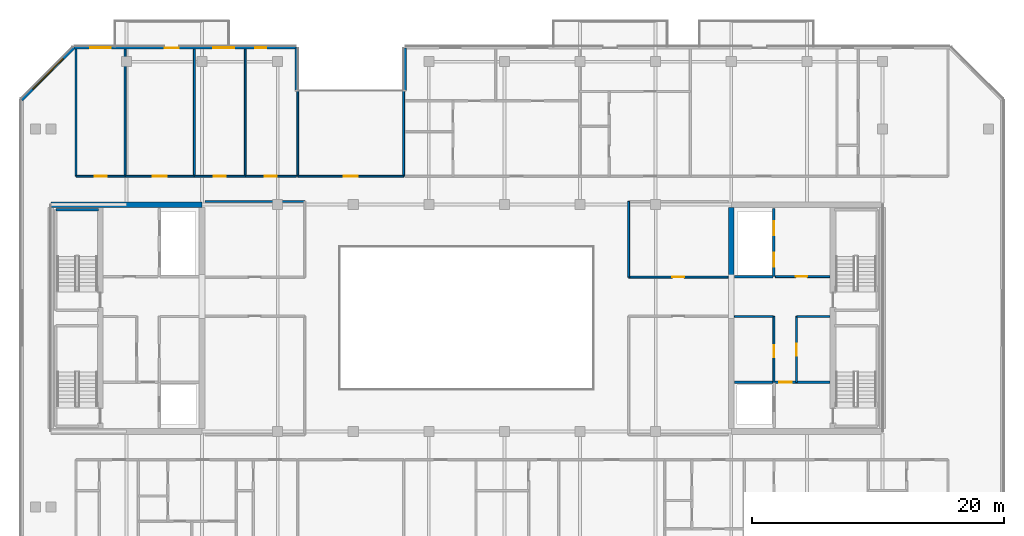
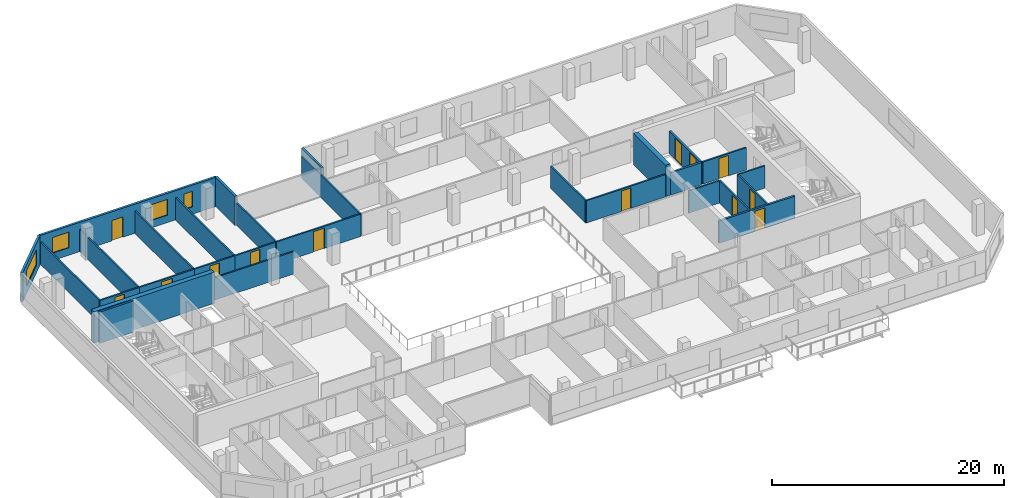
# One storey, part 9 of 16: 29 walls, 13 doors, 4 windows, 17 openings.
"""IFC4 building model written with IfcOpenShell, lengths in metres."""

from ifc_helpers import new_model, si_unit, direction, frame, frame_2d, origin, place, context, subcontext, project, spatial, rectangle, extrude, material, layer, layer_set, type_object, element, fill, save


model = new_model("IFC4")

# Units and contexts
model_context = context("Model", 3, precision=1e-05, world=origin(), true_north=direction((0.0, 1.0)))
body_context = subcontext(model_context, "Body", "Model", "MODEL_VIEW")
ifc_project = project(units=[si_unit("LENGTHUNIT", "METRE"), si_unit("AREAUNIT", "SQUARE_METRE"), si_unit("VOLUMEUNIT", "CUBIC_METRE"), si_unit("PLANEANGLEUNIT", "RADIAN"), si_unit("MASSUNIT", "GRAM", prefix="KILO")], contexts=[model_context])

# Site, building, storey
site_placement = place(None, origin())
site = spatial("IfcSite", under=ifc_project, at=site_placement, CompositionType="ELEMENT")
building_placement = place(site_placement, origin())
building = spatial("IfcBuilding", under=site, at=building_placement, Name="Tanjung Sevakor Pilgrim Tower", CompositionType="ELEMENT")
storey_placement = place(building_placement, frame((0.0, 0.0, 198.330078125)))
storey = spatial("IfcBuildingStorey", under=building, at=storey_placement, Name="L55", CompositionType="ELEMENT", Elevation=198.330078125)

# Walls
ifc_material_1 = material(Name="Concrete C60/75", Category="concrete")
ifc_layer_1 = layer(ifc_material_1, 0.449951171875)
ifc_layer_set_1 = layer_set([ifc_layer_1], Name="WALL-CW-450")
wall_type_1 = type_object("IfcWallType", Name="WALL-CW-450", PredefinedType="SHEAR", material=ifc_layer_set_1)
wall_1_placement = place(storey_placement, frame((36.0, 42.60009765625, 0.0), z_axis=(0.0, 0.0, 1.0), x_axis=(-1.0, 0.0, 0.0)))
element("IfcWall", 1, at=wall_1_placement, inside=storey, type_object=wall_type_1, Name="L55 W Core North Shear Wall", PredefinedType="SHEAR", context=body_context, shape_type="SweptSolid", body=[
    extrude(rectangle(XDim=12.0, YDim=0.449951171875, at=frame_2d((6.0, 0.0))), origin(), (0.0, 0.0, 1.0), 3.2998046875),
])
wall_2_placement = place(storey_placement, frame((78.0, 36.800048828125, 0.0), z_axis=(0.0, 0.0, 1.0), x_axis=(0.0, 1.0, 0.0)))
element("IfcWall", 2, at=wall_2_placement, inside=storey, type_object=wall_type_1, Name="L55 E Core Inner Shear Wall North", PredefinedType="SHEAR", context=body_context, shape_type="SweptSolid", body=[
    extrude(rectangle(XDim=5.574951171875, YDim=0.449951171875, at=frame_2d((2.78759765625, 0.0))), origin(), (0.0, 0.0, 1.0), 3.2998046875),
])
ifc_material_2 = material(Name="Concrete C40/50", Category="concrete")
ifc_layer_2 = layer(ifc_material_2, 0.14990234375)
ifc_layer_set_2 = layer_set([ifc_layer_2], Name="WT-COMP-150")
wall_type_2 = type_object("IfcWallType", Name="WT-COMP-150", PredefinedType="SOLIDWALL", material=ifc_layer_set_2)
wall_3_placement = place(storey_placement, frame((83.199951171875, 33.719970703125, 0.0), z_axis=(0.0, 0.0, 1.0), x_axis=(1.0, 0.0, 0.0)))
element("IfcWall", 3, at=wall_3_placement, inside=storey, type_object=wall_type_2, Name="L55 Partition IW-L55-012", PredefinedType="SOLIDWALL", context=body_context, shape_type="SweptSolid", body=[
    extrude(rectangle(XDim=2.630126953125, YDim=0.14990234375, at=frame_2d((1.31494140625, 0.0))), origin(), (0.0, 0.0, 1.0), 2.35009765625),
])

# Wall, opening, door
wall_4_placement = place(storey_placement, frame((83.179931640625, 28.5, 0.0), z_axis=(0.0, 0.0, 1.0), x_axis=(0.0, 1.0, 0.0)))
wall_4 = element("IfcWall", 4, at=wall_4_placement, inside=storey, type_object=wall_type_2, Name="L55 Partition IW-L55-013", PredefinedType="SOLIDWALL", context=body_context, shape_type="SweptSolid", body=[
    extrude(rectangle(XDim=5.219970703125, YDim=0.14990234375, at=frame_2d((2.60986328125, 0.0))), origin(), (0.0, 0.0, 1.0), 2.35009765625),
])
opening_1_placement = place(wall_4_placement, frame((2.10009765625, 0.0, 0.0)))
opening_1 = element("IfcOpeningElement", 5, at=opening_1_placement, cuts=wall_4, Name="Opening ID-FD2", PredefinedType="OPENING", context=body_context, shape_type="SweptSolid", body=[
    extrude(rectangle(XDim=0.949951171875, YDim=2.14990234375, at=frame_2d((0.47509765625, 1.074951171875))), frame((0.0, 0.0849609375, 0.0), z_axis=(0.0, -1.0, 0.0), x_axis=(1.0, 0.0, 0.0)), (0.0, 0.0, 1.0), 0.169921875),
])
ifc_material_3 = material(Name="Fire-Rated Timber", Category="wood")
door_type_1 = type_object("IfcDoorType", Name="DT-FIRE-950", OperationType="NOTDEFINED", PredefinedType="DOOR", material=ifc_material_3)
door_1_placement = place(opening_1_placement, origin())
door_1 = element("IfcDoor", 6, at=door_1_placement, inside=storey, type_object=door_type_1, Name="L55 Housekeeping Pantry Door", OperationType="SINGLE_SWING_LEFT", OverallHeight=2.14990234375, OverallWidth=0.949951171875, PredefinedType="DOOR", context=body_context, shape_type="SweptSolid", body=[
    extrude(rectangle(XDim=0.949951171875, YDim=2.14990234375, at=frame_2d((0.47509765625, 1.074951171875))), frame((0.0, 0.02490234375, 0.0), z_axis=(0.0, -1.0, 0.0), x_axis=(1.0, 0.0, 0.0)), (0.0, 0.0, 1.0), 0.050048828125),
])
fill(opening_1, door_1)

# Wall
wall_5_placement = place(storey_placement, frame((78.2451171875, 33.719970703125, 0.0), z_axis=(0.0, 0.0, 1.0), x_axis=(1.0, 0.0, 0.0)))
element("IfcWall", 7, at=wall_5_placement, inside=storey, type_object=wall_type_2, Name="L55 Partition IW-L55-014", PredefinedType="SOLIDWALL", context=body_context, shape_type="SweptSolid", body=[
    extrude(rectangle(XDim=3.074951171875, YDim=0.14990234375, at=frame_2d((1.53759765625, 0.0))), origin(), (0.0, 0.0, 1.0), 2.35009765625),
])

# Wall, opening, door
wall_6_placement = place(storey_placement, frame((81.3798828125, 28.5, 0.0), z_axis=(0.0, 0.0, 1.0), x_axis=(0.0, 1.0, 0.0)))
wall_6 = element("IfcWall", 8, at=wall_6_placement, inside=storey, type_object=wall_type_2, Name="L55 Partition IW-L55-015", PredefinedType="SOLIDWALL", context=body_context, shape_type="SweptSolid", body=[
    extrude(rectangle(XDim=5.219970703125, YDim=0.14990234375, at=frame_2d((2.60986328125, 0.0))), origin(), (0.0, 0.0, 1.0), 2.35009765625),
])
opening_2_placement = place(wall_6_placement, frame((2.0, 0.0, 0.0)))
opening_2 = element("IfcOpeningElement", 9, at=opening_2_placement, cuts=wall_6, Name="Opening ID-FD2", PredefinedType="OPENING", context=body_context, shape_type="SweptSolid", body=[
    extrude(rectangle(XDim=0.949951171875, YDim=2.14990234375, at=frame_2d((0.47509765625, 1.074951171875))), frame((0.0, 0.0849609375, 0.0), z_axis=(0.0, -1.0, 0.0), x_axis=(1.0, 0.0, 0.0)), (0.0, 0.0, 1.0), 0.169921875),
])
door_2_placement = place(opening_2_placement, origin())
door_2 = element("IfcDoor", 10, at=door_2_placement, inside=storey, type_object=door_type_1, Name="L55 Accessible WC Door", OperationType="SINGLE_SWING_RIGHT", OverallHeight=2.14990234375, OverallWidth=0.949951171875, PredefinedType="DOOR", context=body_context, shape_type="SweptSolid", body=[
    extrude(rectangle(XDim=0.949951171875, YDim=2.14990234375, at=frame_2d((0.47509765625, 1.074951171875))), frame((0.0, 0.02490234375, 0.0), z_axis=(0.0, -1.0, 0.0), x_axis=(1.0, 0.0, 0.0)), (0.0, 0.0, 1.0), 0.050048828125),
])
fill(opening_2, door_2)

wall_7_placement = place(storey_placement, frame((81.5, 36.8798828125, 0.0), z_axis=(0.0, 0.0, 1.0), x_axis=(1.0, 0.0, 0.0)))
wall_7 = element("IfcWall", 11, at=wall_7_placement, inside=storey, type_object=wall_type_2, Name="L55 Partition IW-L55-016", PredefinedType="SOLIDWALL", context=body_context, shape_type="SweptSolid", body=[
    extrude(rectangle(XDim=4.330078125, YDim=0.14990234375, at=frame_2d((2.1650390625, 0.0))), origin(), (0.0, 0.0, 1.0), 2.35009765625),
])
opening_3_placement = place(wall_7_placement, frame((1.60009765625, 0.0, 0.0)))
opening_3 = element("IfcOpeningElement", 12, at=opening_3_placement, cuts=wall_7, Name="Opening ID-FD2", PredefinedType="OPENING", context=body_context, shape_type="SweptSolid", body=[
    extrude(rectangle(XDim=0.949951171875, YDim=2.14990234375, at=frame_2d((0.47509765625, 1.074951171875))), frame((0.0, 0.0849609375, 0.0), z_axis=(0.0, -1.0, 0.0), x_axis=(1.0, 0.0, 0.0)), (0.0, 0.0, 1.0), 0.169921875),
])
door_3_placement = place(opening_3_placement, origin())
door_3 = element("IfcDoor", 13, at=door_3_placement, inside=storey, type_object=door_type_1, Name="L55 Core Prayer Room Door", OperationType="SINGLE_SWING_LEFT", OverallHeight=2.14990234375, OverallWidth=0.949951171875, PredefinedType="DOOR", context=body_context, shape_type="SweptSolid", body=[
    extrude(rectangle(XDim=0.949951171875, YDim=2.14990234375, at=frame_2d((0.47509765625, 1.074951171875))), frame((0.0, 0.02490234375, 0.0), z_axis=(0.0, -1.0, 0.0), x_axis=(1.0, 0.0, 0.0)), (0.0, 0.0, 1.0), 0.050048828125),
])
fill(opening_3, door_3)

# Wall
wall_8_placement = place(storey_placement, frame((36.2451171875, 42.85009765625, 0.0), z_axis=(0.0, 0.0, 1.0), x_axis=(1.0, 0.0, 0.0)))
element("IfcWall", 14, at=wall_8_placement, inside=storey, type_object=wall_type_2, Name="L55 Partition IW-L55-023", PredefinedType="SOLIDWALL", context=body_context, shape_type="SweptSolid", body=[
    extrude(rectangle(XDim=7.90478515625, YDim=0.14990234375, at=frame_2d((3.952392578125, 0.0))), origin(), (0.0, 0.0, 1.0), 2.35009765625),
])

# Wall, opening, door
wall_9_placement = place(storey_placement, frame((69.85009765625, 36.85009765625, 0.0), z_axis=(0.0, 0.0, 1.0), x_axis=(1.0, 0.0, 0.0)))
wall_9 = element("IfcWall", 15, at=wall_9_placement, inside=storey, type_object=wall_type_2, Name="L55 Partition IW-L55-028", PredefinedType="SOLIDWALL", context=body_context, shape_type="SweptSolid", body=[
    extrude(rectangle(XDim=7.90478515625, YDim=0.14990234375, at=frame_2d((3.952392578125, 0.0))), origin(), (0.0, 0.0, 1.0), 2.35009765625),
])
opening_4_placement = place(wall_9_placement, frame((3.4775390625, 0.0, 0.0)))
opening_4 = element("IfcOpeningElement", 16, at=opening_4_placement, cuts=wall_9, Name="Opening ID-RM1", PredefinedType="OPENING", context=body_context, shape_type="SweptSolid", body=[
    extrude(rectangle(XDim=0.949951171875, YDim=2.14990234375, at=frame_2d((0.47509765625, 1.074951171875))), frame((0.0, 0.0849609375, 0.0), z_axis=(0.0, -1.0, 0.0), x_axis=(1.0, 0.0, 0.0)), (0.0, 0.0, 1.0), 0.169921875),
])
ifc_material_4 = material(Name="Hardwood Timber", Category="wood")
door_type_2 = type_object("IfcDoorType", Name="DT-INT-950", OperationType="NOTDEFINED", PredefinedType="DOOR", material=ifc_material_4)
door_4_placement = place(opening_4_placement, origin())
door_4 = element("IfcDoor", 17, at=door_4_placement, inside=storey, type_object=door_type_2, Name="L55 East Inboard North Door", OperationType="SINGLE_SWING_LEFT", OverallHeight=2.14990234375, OverallWidth=0.949951171875, PredefinedType="DOOR", context=body_context, shape_type="SweptSolid", body=[
    extrude(rectangle(XDim=0.949951171875, YDim=2.14990234375, at=frame_2d((0.47509765625, 1.074951171875))), frame((0.0, 0.02490234375, 0.0), z_axis=(0.0, -1.0, 0.0), x_axis=(1.0, 0.0, 0.0)), (0.0, 0.0, 1.0), 0.050048828125),
])
fill(opening_4, door_4)

# Wall
wall_10_placement = place(storey_placement, frame((69.85009765625, 36.85009765625, 0.0), z_axis=(0.0, 0.0, 1.0), x_axis=(0.0, 1.0, 0.0)))
element("IfcWall", 18, at=wall_10_placement, inside=storey, type_object=wall_type_2, Name="L55 Partition IW-L55-030", PredefinedType="SOLIDWALL", context=body_context, shape_type="SweptSolid", body=[
    extrude(rectangle(XDim=6.0, YDim=0.14990234375, at=frame_2d((3.0, 0.0))), origin(), (0.0, 0.0, 1.0), 2.35009765625),
])

# Wall, opening, door
wall_11_placement = place(storey_placement, frame((43.60009765625, 44.85009765625, 0.0), z_axis=(0.0, 0.0, 1.0), x_axis=(1.0, 0.0, 0.0)))
wall_11 = element("IfcWall", 19, at=wall_11_placement, inside=storey, type_object=wall_type_2, Name="L55 Partition IW-L55-034", PredefinedType="SOLIDWALL", context=body_context, shape_type="SweptSolid", body=[
    extrude(rectangle(XDim=8.39990234375, YDim=0.14990234375, at=frame_2d((4.199951171875, 0.0))), origin(), (0.0, 0.0, 1.0), 2.35009765625),
])
opening_5_placement = place(wall_11_placement, frame((3.64990234375, 0.0, 0.0)))
opening_5 = element("IfcOpeningElement", 20, at=opening_5_placement, cuts=wall_11, Name="Opening ID-RM2", PredefinedType="OPENING", context=body_context, shape_type="SweptSolid", body=[
    extrude(rectangle(XDim=1.10009765625, YDim=2.14990234375, at=frame_2d((0.550048828125, 1.074951171875))), frame((0.0, 0.0849609375, 0.0), z_axis=(0.0, -1.0, 0.0), x_axis=(1.0, 0.0, 0.0)), (0.0, 0.0, 1.0), 0.169921875),
])
ifc_material_5 = material(Name="Hardwood Timber", Category="wood")
door_type_3 = type_object("IfcDoorType", Name="DT-INT-1100", OperationType="NOTDEFINED", PredefinedType="DOOR", material=ifc_material_5)
door_5_placement = place(opening_5_placement, origin())
door_5 = element("IfcDoor", 21, at=door_5_placement, inside=storey, type_object=door_type_3, Name="L55 North Cleft Seminar Room Door", OperationType="SINGLE_SWING_LEFT", OverallHeight=2.14990234375, OverallWidth=1.10009765625, PredefinedType="DOOR", context=body_context, shape_type="SweptSolid", body=[
    extrude(rectangle(XDim=1.10009765625, YDim=2.14990234375, at=frame_2d((0.550048828125, 1.074951171875))), frame((0.0, 0.02490234375, 0.0), z_axis=(0.0, -1.0, 0.0), x_axis=(1.0, 0.0, 0.0)), (0.0, 0.0, 1.0), 0.050048828125),
])
fill(opening_5, door_5)

# Walls
for number, where, z_axis, x_axis, name in (
    (22, (43.60009765625, 44.85009765625, 0.0), (0.0, 0.0, 1.0), (0.0, 1.0, 0.0), "L55 Partition IW-L55-035"),
    (23, (52.0, 44.85009765625, 0.0), (0.0, 0.0, 1.0), (0.0, 1.0, 0.0), "L55 Partition IW-L55-036"),
    (24, (26.0, 44.85009765625, 0.0), (0.0, 0.0, 1.0), (0.0, 1.0, 0.0), "L55 Partition IW-L55-074"),
    (25, (29.900390625, 44.85009765625, 0.0), (0.0, 0.0, 1.0), (0.0, 1.0, 0.0), "L55 Partition IW-L55-075"),
):
    element("IfcWall", number, at=place(storey_placement, frame(where, z_axis=z_axis, x_axis=x_axis)), inside=storey, type_object=wall_type_2, Name=name, PredefinedType="SOLIDWALL", context=body_context, shape_type="SweptSolid", body=[
        extrude(rectangle(XDim=10.079833984375, YDim=0.14990234375, at=frame_2d((5.0400390625, 0.0))), origin(), (0.0, 0.0, 1.0), 2.35009765625),
    ])

# Wall, opening, door
wall_12_placement = place(storey_placement, frame((26.0, 44.85009765625, 0.0), z_axis=(0.0, 0.0, 1.0), x_axis=(1.0, 0.0, 0.0)))
wall_12 = element("IfcWall", 26, at=wall_12_placement, inside=storey, type_object=wall_type_2, Name="L55 Partition IW-L55-076", PredefinedType="SOLIDWALL", context=body_context, shape_type="SweptSolid", body=[
    extrude(rectangle(XDim=3.900390625, YDim=0.14990234375, at=frame_2d((1.9501953125, 0.0))), origin(), (0.0, 0.0, 1.0), 2.35009765625),
])
opening_6_placement = place(wall_12_placement, frame((1.47509765625, 0.0, 0.0)))
opening_6 = element("IfcOpeningElement", 27, at=opening_6_placement, cuts=wall_12, Name="Opening ID-FD2", PredefinedType="OPENING", context=body_context, shape_type="SweptSolid", body=[
    extrude(rectangle(XDim=0.949951171875, YDim=2.14990234375, at=frame_2d((0.47509765625, 1.074951171875))), frame((0.0, 0.0849609375, 0.0), z_axis=(0.0, -1.0, 0.0), x_axis=(1.0, 0.0, 0.0)), (0.0, 0.0, 1.0), 0.169921875),
])
door_6_placement = place(opening_6_placement, origin())
door_6 = element("IfcDoor", 28, at=door_6_placement, inside=storey, type_object=door_type_1, Name="Study Room Entrance", OperationType="SINGLE_SWING_RIGHT", OverallHeight=2.14990234375, OverallWidth=0.949951171875, PredefinedType="DOOR", context=body_context, shape_type="SweptSolid", body=[
    extrude(rectangle(XDim=0.949951171875, YDim=2.14990234375, at=frame_2d((0.47509765625, 1.074951171875))), frame((0.0, 0.02490234375, 0.0), z_axis=(0.0, -1.0, 0.0), x_axis=(1.0, 0.0, 0.0)), (0.0, 0.0, 1.0), 0.050048828125),
])
fill(opening_6, door_6)

# Wall
wall_13_placement = place(storey_placement, frame((35.39013671875, 44.85009765625, 0.0), z_axis=(0.0, 0.0, 1.0), x_axis=(0.0, 1.0, 0.0)))
element("IfcWall", 29, at=wall_13_placement, inside=storey, type_object=wall_type_2, Name="L55 Partition IW-L55-077", PredefinedType="SOLIDWALL", context=body_context, shape_type="SweptSolid", body=[
    extrude(rectangle(XDim=10.079833984375, YDim=0.14990234375, at=frame_2d((5.0400390625, 0.0))), origin(), (0.0, 0.0, 1.0), 2.35009765625),
])

# Wall, opening, door
wall_14_placement = place(storey_placement, frame((29.900390625, 44.85009765625, 0.0), z_axis=(0.0, 0.0, 1.0), x_axis=(1.0, 0.0, 0.0)))
wall_14 = element("IfcWall", 30, at=wall_14_placement, inside=storey, type_object=wall_type_2, Name="L55 Partition IW-L55-078", PredefinedType="SOLIDWALL", context=body_context, shape_type="SweptSolid", body=[
    extrude(rectangle(XDim=5.48974609375, YDim=0.14990234375, at=frame_2d((2.744873046875, 0.0))), origin(), (0.0, 0.0, 1.0), 2.35009765625),
])
opening_7_placement = place(wall_14_placement, frame((2.19482421875, 0.0, 0.0)))
opening_7 = element("IfcOpeningElement", 31, at=opening_7_placement, cuts=wall_14, Name="Opening ID-FD0", PredefinedType="OPENING", context=body_context, shape_type="SweptSolid", body=[
    extrude(rectangle(XDim=1.10009765625, YDim=2.14990234375, at=frame_2d((0.550048828125, 1.074951171875))), frame((0.0, 0.0849609375, 0.0), z_axis=(0.0, -1.0, 0.0), x_axis=(1.0, 0.0, 0.0)), (0.0, 0.0, 1.0), 0.169921875),
])
ifc_material_6 = material(Name="Fire-Rated Steel S355J2", Category="steel")
door_type_4 = type_object("IfcDoorType", Name="DT-FIRE-1100", OperationType="NOTDEFINED", PredefinedType="DOOR", material=ifc_material_6)
door_7_placement = place(opening_7_placement, origin())
door_7 = element("IfcDoor", 32, at=door_7_placement, inside=storey, type_object=door_type_4, Name="Communal Lounge Door", OperationType="SINGLE_SWING_LEFT", OverallHeight=2.14990234375, OverallWidth=1.10009765625, PredefinedType="DOOR", context=body_context, shape_type="SweptSolid", body=[
    extrude(rectangle(XDim=1.10009765625, YDim=2.14990234375, at=frame_2d((0.550048828125, 1.074951171875))), frame((0.0, 0.02490234375, 0.0), z_axis=(0.0, -1.0, 0.0), x_axis=(1.0, 0.0, 0.0)), (0.0, 0.0, 1.0), 0.050048828125),
])
fill(opening_7, door_7)

# Wall
wall_15_placement = place(storey_placement, frame((39.43505859375, 44.85009765625, 0.0), z_axis=(0.0, 0.0, 1.0), x_axis=(0.0, 1.0, 0.0)))
element("IfcWall", 33, at=wall_15_placement, inside=storey, type_object=wall_type_2, Name="L55 Partition IW-L55-079", PredefinedType="SOLIDWALL", context=body_context, shape_type="SweptSolid", body=[
    extrude(rectangle(XDim=10.079833984375, YDim=0.14990234375, at=frame_2d((5.0400390625, 0.0))), origin(), (0.0, 0.0, 1.0), 2.35009765625),
])

# Wall, opening, door
wall_16_placement = place(storey_placement, frame((35.39013671875, 44.85009765625, 0.0), z_axis=(0.0, 0.0, 1.0), x_axis=(1.0, 0.0, 0.0)))
wall_16 = element("IfcWall", 34, at=wall_16_placement, inside=storey, type_object=wall_type_2, Name="L55 Partition IW-L55-080", PredefinedType="SOLIDWALL", context=body_context, shape_type="SweptSolid", body=[
    extrude(rectangle(XDim=4.044921875, YDim=0.14990234375, at=frame_2d((2.0224609375, 0.0))), origin(), (0.0, 0.0, 1.0), 2.35009765625),
])
opening_8_placement = place(wall_16_placement, frame((1.547607421875, 0.0, 0.0)))
opening_8 = element("IfcOpeningElement", 35, at=opening_8_placement, cuts=wall_16, Name="Opening ID-FD2", PredefinedType="OPENING", context=body_context, shape_type="SweptSolid", body=[
    extrude(rectangle(XDim=0.949951171875, YDim=2.14990234375, at=frame_2d((0.47509765625, 1.074951171875))), frame((0.0, 0.0849609375, 0.0), z_axis=(0.0, -1.0, 0.0), x_axis=(1.0, 0.0, 0.0)), (0.0, 0.0, 1.0), 0.169921875),
])
door_8_placement = place(opening_8_placement, origin())
door_8 = element("IfcDoor", 36, at=door_8_placement, inside=storey, type_object=door_type_1, Name="Study Room Entrance", OperationType="SINGLE_SWING_RIGHT", OverallHeight=2.14990234375, OverallWidth=0.949951171875, PredefinedType="DOOR", context=body_context, shape_type="SweptSolid", body=[
    extrude(rectangle(XDim=0.949951171875, YDim=2.14990234375, at=frame_2d((0.47509765625, 1.074951171875))), frame((0.0, 0.02490234375, 0.0), z_axis=(0.0, -1.0, 0.0), x_axis=(1.0, 0.0, 0.0)), (0.0, 0.0, 1.0), 0.050048828125),
])
fill(opening_8, door_8)

wall_17_placement = place(storey_placement, frame((39.43505859375, 44.85009765625, 0.0), z_axis=(0.0, 0.0, 1.0), x_axis=(1.0, 0.0, 0.0)))
wall_17 = element("IfcWall", 37, at=wall_17_placement, inside=storey, type_object=wall_type_2, Name="L55 Partition IW-L55-081", PredefinedType="SOLIDWALL", context=body_context, shape_type="SweptSolid", body=[
    extrude(rectangle(XDim=4.044921875, YDim=0.14990234375, at=frame_2d((2.0224609375, 0.0))), origin(), (0.0, 0.0, 1.0), 2.35009765625),
])
opening_9_placement = place(wall_17_placement, frame((1.54736328125, 0.0, 0.0)))
opening_9 = element("IfcOpeningElement", 38, at=opening_9_placement, cuts=wall_17, Name="Opening ID-FD2", PredefinedType="OPENING", context=body_context, shape_type="SweptSolid", body=[
    extrude(rectangle(XDim=0.949951171875, YDim=2.14990234375, at=frame_2d((0.47509765625, 1.074951171875))), frame((0.0, 0.0849609375, 0.0), z_axis=(0.0, -1.0, 0.0), x_axis=(1.0, 0.0, 0.0)), (0.0, 0.0, 1.0), 0.169921875),
])
door_9_placement = place(opening_9_placement, origin())
door_9 = element("IfcDoor", 39, at=door_9_placement, inside=storey, type_object=door_type_1, Name="Study Room Entrance", OperationType="SINGLE_SWING_LEFT", OverallHeight=2.14990234375, OverallWidth=0.949951171875, PredefinedType="DOOR", context=body_context, shape_type="SweptSolid", body=[
    extrude(rectangle(XDim=0.949951171875, YDim=2.14990234375, at=frame_2d((0.47509765625, 1.074951171875))), frame((0.0, 0.02490234375, 0.0), z_axis=(0.0, -1.0, 0.0), x_axis=(1.0, 0.0, 0.0)), (0.0, 0.0, 1.0), 0.050048828125),
])
fill(opening_9, door_9)

# Walls
ifc_material_7 = material(Name="Precast concrete C45/55", Category="concrete")
ifc_layer_3 = layer(ifc_material_7, 0.219970703125)
ifc_layer_set_3 = layer_set([ifc_layer_3], Name="WT-EW-STN4")
wall_type_3 = type_object("IfcWallType", Name="WT-EW-STN4", PredefinedType="SOLIDWALL", material=ifc_layer_set_3)
for number, where, z_axis, x_axis, name in (
    (40, (52.110107421875, 55.0400390625, 0.0), (0.0, 0.0, 1.0), (0.0, -1.0, 0.0), "L55 MAIN Exterior Wall 10"),
    (41, (43.489990234375, 51.639892578125, 0.0), (0.0, 0.0, 1.0), (0.0, 1.0, 0.0), "L55 MAIN Exterior Wall 12"),
):
    element("IfcWall", number, at=place(storey_placement, frame(where, z_axis=z_axis, x_axis=x_axis)), inside=storey, type_object=wall_type_3, Name=name, PredefinedType="SOLIDWALL", context=body_context, shape_type="SweptSolid", body=[
        extrude(rectangle(XDim=3.400146484375, YDim=0.219970703125, at=frame_2d((1.7001953125, 0.0))), origin(), (0.0, 0.0, 1.0), 3.080078125),
    ])

# Wall, openings, door, windows
wall_18_placement = place(storey_placement, frame((43.489990234375, 55.0400390625, 0.0), z_axis=(0.0, 0.0, 1.0), x_axis=(-1.0, 0.0, 0.0)))
wall_18 = element("IfcWall", 42, at=wall_18_placement, inside=storey, type_object=wall_type_3, Name="L55 MAIN Exterior Wall 13", PredefinedType="SOLIDWALL", context=body_context, shape_type="SweptSolid", body=[
    extrude(rectangle(XDim=17.644287109375, YDim=0.219970703125, at=frame_2d((8.822265625, 0.0))), origin(), (0.0, 0.0, 1.0), 3.080078125),
])
opening_10_placement = place(wall_18_placement, frame((9.340087890625, 0.0, 0.0)))
opening_10 = element("IfcOpeningElement", 43, at=opening_10_placement, cuts=wall_18, Name="Opening ED-BAL-1100", PredefinedType="OPENING", context=body_context, shape_type="SweptSolid", body=[
    extrude(rectangle(XDim=1.10009765625, YDim=2.14990234375, at=frame_2d((0.550048828125, 1.074951171875))), frame((0.0, 0.119873046875, 0.0), z_axis=(0.0, -1.0, 0.0), x_axis=(1.0, 0.0, 0.0)), (0.0, 0.0, 1.0), 0.239990234375),
])
opening_11_placement = place(wall_18_placement, frame((14.71484375, 0.0, 0.780029296875)))
opening_11 = element("IfcOpeningElement", 44, at=opening_11_placement, cuts=wall_18, Name="Opening WN-Z4-1660", PredefinedType="OPENING", context=body_context, shape_type="SweptSolid", body=[
    extrude(rectangle(XDim=1.64990234375, YDim=1.659912109375, at=frame_2d((0.824951171875, 0.830078125))), frame((0.0, 0.119873046875, 0.0), z_axis=(0.0, -1.0, 0.0), x_axis=(1.0, 0.0, 0.0)), (0.0, 0.0, 1.0), 0.239990234375),
])
opening_12_placement = place(wall_18_placement, frame((4.932373046875, 0.0, 0.780029296875)))
opening_12 = element("IfcOpeningElement", 45, at=opening_12_placement, cuts=wall_18, Name="Opening WN-Z4-1660", PredefinedType="OPENING", context=body_context, shape_type="SweptSolid", body=[
    extrude(rectangle(XDim=1.64990234375, YDim=1.659912109375, at=frame_2d((0.824951171875, 0.830078125))), frame((0.0, 0.119873046875, 0.0), z_axis=(0.0, -1.0, 0.0), x_axis=(1.0, 0.0, 0.0)), (0.0, 0.0, 1.0), 0.239990234375),
])
opening_13_placement = place(wall_18_placement, frame((2.407470703125, 0.0, 0.780029296875)))
opening_13 = element("IfcOpeningElement", 46, at=opening_13_placement, cuts=wall_18, Name="Opening WN-SLM", PredefinedType="OPENING", context=body_context, shape_type="SweptSolid", body=[
    extrude(rectangle(XDim=0.85009765625, YDim=1.64990234375, at=frame_2d((0.425048828125, 0.824951171875))), frame((0.0, 0.119873046875, 0.0), z_axis=(0.0, -1.0, 0.0), x_axis=(1.0, 0.0, 0.0)), (0.0, 0.0, 1.0), 0.239990234375),
])
ifc_material_8 = material(Name="Anodised Aluminium and Laminated Glass", Category="aluminium")
door_type_5 = type_object("IfcDoorType", Name="DTYP-ED-BAL-1100", OperationType="NOTDEFINED", PredefinedType="DOOR", material=ifc_material_8)
door_10_placement = place(opening_10_placement, frame((1.10009765625, 0.0, 0.0), z_axis=(0.0, 0.0, 1.0), x_axis=(-1.0, 0.0, 0.0)))
door_10 = element("IfcDoor", 47, at=door_10_placement, inside=storey, type_object=door_type_5, Name="L55 Balcony Door MAIN-N1", OperationType="SINGLE_SWING_RIGHT", OverallHeight=2.14990234375, OverallWidth=1.10009765625, PredefinedType="DOOR", context=body_context, shape_type="SweptSolid", body=[
    extrude(rectangle(XDim=1.10009765625, YDim=2.14990234375, at=frame_2d((0.550048828125, 1.074951171875))), frame((0.0, 0.02490234375, 0.0), z_axis=(0.0, -1.0, 0.0), x_axis=(1.0, 0.0, 0.0)), (0.0, 0.0, 1.0), 0.050048828125),
])
fill(opening_10, door_10)
ifc_material_9 = material(Name="Thermally Broken Aluminium and Low-E Glass", Category="aluminium")
window_type_1 = type_object("IfcWindowType", Name="WTYP-WN-SLM", PartitioningType="SINGLE_PANEL", PredefinedType="WINDOW", material=ifc_material_9)
window_1_placement = place(opening_13_placement, origin())
window_1 = element("IfcWindow", 48, at=window_1_placement, inside=storey, type_object=window_type_1, Name="L55 Facade Window 03", OverallHeight=1.64990234375, OverallWidth=0.85009765625, PartitioningType="SINGLE_PANEL", PredefinedType="WINDOW", context=body_context, shape_type="SweptSolid", body=[
    extrude(rectangle(XDim=0.85009765625, YDim=1.64990234375, at=frame_2d((0.425048828125, 0.824951171875))), frame((0.0, 0.030029296875, 0.0), z_axis=(0.0, -1.0, 0.0), x_axis=(1.0, 0.0, 0.0)), (0.0, 0.0, 1.0), 0.06005859375),
])
fill(opening_13, window_1)
ifc_material_10 = material(Name="Thermally Broken Aluminium and Low-E Glass", Category="aluminium")
window_type_2 = type_object("IfcWindowType", Name="WTYP-WN-Z4-1660", PartitioningType="DOUBLE_PANEL_VERTICAL", PredefinedType="WINDOW", material=ifc_material_10)
window_2_placement = place(opening_11_placement, origin())
window_2 = element("IfcWindow", 49, at=window_2_placement, inside=storey, type_object=window_type_2, Name="L55 Facade Window 01", OverallHeight=1.659912109375, OverallWidth=1.64990234375, PartitioningType="SINGLE_PANEL", PredefinedType="WINDOW", context=body_context, shape_type="SweptSolid", body=[
    extrude(rectangle(XDim=1.64990234375, YDim=1.659912109375, at=frame_2d((0.824951171875, 0.830078125))), frame((0.0, 0.030029296875, 0.0), z_axis=(0.0, -1.0, 0.0), x_axis=(1.0, 0.0, 0.0)), (0.0, 0.0, 1.0), 0.06005859375),
])
fill(opening_11, window_2)
window_3_placement = place(opening_12_placement, origin())
window_3 = element("IfcWindow", 50, at=window_3_placement, inside=storey, type_object=window_type_2, Name="L55 Facade Window 02", OverallHeight=1.659912109375, OverallWidth=1.64990234375, PartitioningType="SINGLE_PANEL", PredefinedType="WINDOW", context=body_context, shape_type="SweptSolid", body=[
    extrude(rectangle(XDim=1.64990234375, YDim=1.659912109375, at=frame_2d((0.824951171875, 0.830078125))), frame((0.0, 0.030029296875, 0.0), z_axis=(0.0, -1.0, 0.0), x_axis=(1.0, 0.0, 0.0)), (0.0, 0.0, 1.0), 0.06005859375),
])
fill(opening_12, window_3)

# Wall, opening, window
wall_19_placement = place(storey_placement, frame((25.845703125, 55.0400390625, 0.0), z_axis=(0.0, 0.0, 1.0), x_axis=(-0.707106781187, -0.707106781187, 0.0)))
wall_19 = element("IfcWall", 51, at=wall_19_placement, inside=storey, type_object=wall_type_3, Name="L55 MAIN Sculpted Corner Wall 13", PredefinedType="SOLIDWALL", context=body_context, shape_type="SweptSolid", body=[
    extrude(rectangle(XDim=5.848876953125, YDim=0.219970703125, at=frame_2d((2.92431640625, 0.0))), origin(), (0.0, 0.0, 1.0), 3.080078125),
])
opening_14_placement = place(wall_19_placement, frame((1.224365234375, 0.0, 0.780029296875)))
opening_14 = element("IfcOpeningElement", 52, at=opening_14_placement, cuts=wall_19, Name="Opening WN-CHM-1660", PredefinedType="OPENING", context=body_context, shape_type="SweptSolid", body=[
    extrude(rectangle(XDim=3.39990234375, YDim=1.659912109375, at=frame_2d((1.699951171875, 0.830078125))), frame((0.0, 0.119873046875, 0.0), z_axis=(0.0, -1.0, 0.0), x_axis=(1.0, 0.0, 0.0)), (0.0, 0.0, 1.0), 0.239990234375),
])
ifc_material_11 = material(Name="Thermally Broken Aluminium and Low-E Glass", Category="aluminium")
window_type_3 = type_object("IfcWindowType", Name="WTYP-WN-CHM-1660", PartitioningType="DOUBLE_PANEL_VERTICAL", PredefinedType="WINDOW", material=ifc_material_11)
window_4_placement = place(opening_14_placement, origin())
window_4 = element("IfcWindow", 53, at=window_4_placement, inside=storey, type_object=window_type_3, Name="L55 Facade Window 01", OverallHeight=1.659912109375, OverallWidth=3.39990234375, PartitioningType="SINGLE_PANEL", PredefinedType="WINDOW", context=body_context, shape_type="SweptSolid", body=[
    extrude(rectangle(XDim=3.39990234375, YDim=1.659912109375, at=frame_2d((1.699951171875, 0.830078125))), frame((0.0, 0.030029296875, 0.0), z_axis=(0.0, -1.0, 0.0), x_axis=(1.0, 0.0, 0.0)), (0.0, 0.0, 1.0), 0.06005859375),
])
fill(opening_14, window_4)

# Wall
ifc_material_12 = material(Name="Concrete C40/50", Category="concrete")
ifc_layer_4 = layer(ifc_material_12, 0.199951171875)
ifc_layer_set_4 = layer_set([ifc_layer_4], Name="WT-FIRE-200")
wall_type_4 = type_object("IfcWallType", Name="WT-FIRE-200", PredefinedType="SOLIDWALL", material=ifc_layer_set_4)
wall_20_placement = place(storey_placement, frame((27.800048828125, 42.199951171875, 0.0), z_axis=(0.0, 0.0, 1.0), x_axis=(-1.0, 0.0, 0.0)))
element("IfcWall", 54, at=wall_20_placement, inside=storey, type_object=wall_type_4, Name="L55 TS-W2 Shaft Wall 2", PredefinedType="SOLIDWALL", context=body_context, shape_type="SweptSolid", body=[
    extrude(rectangle(XDim=3.400146484375, YDim=0.199951171875, at=frame_2d((1.7001953125, 0.0))), origin(), (0.0, 0.0, 1.0), 3.2998046875),
])

# Wall, opening, door
ifc_material_13 = material(Name="Concrete C40/50", Category="concrete")
ifc_layer_5 = layer(ifc_material_13, 0.199951171875)
ifc_layer_set_5 = layer_set([ifc_layer_5], Name="WT-FPRT-200")
wall_type_5 = type_object("IfcWallType", Name="WT-FPRT-200", PredefinedType="SOLIDWALL", material=ifc_layer_set_5)
wall_21_placement = place(storey_placement, frame((78.2451171875, 28.5, 0.0), z_axis=(0.0, 0.0, 1.0), x_axis=(1.0, 0.0, 0.0)))
wall_21 = element("IfcWall", 55, at=wall_21_placement, inside=storey, type_object=wall_type_5, Name="L55 Partition IW-L55-011", PredefinedType="SOLIDWALL", context=body_context, shape_type="SweptSolid", body=[
    extrude(rectangle(XDim=7.5849609375, YDim=0.199951171875, at=frame_2d((3.79248046875, 0.0))), origin(), (0.0, 0.0, 1.0), 2.35009765625),
])
opening_15_placement = place(wall_21_placement, frame((3.554931640625, 0.0, 0.0)))
opening_15 = element("IfcOpeningElement", 56, at=opening_15_placement, cuts=wall_21, Name="Opening ID-FD1", PredefinedType="OPENING", context=body_context, shape_type="SweptSolid", body=[
    extrude(rectangle(XDim=1.0, YDim=2.14990234375, at=frame_2d((0.5, 1.074951171875))), frame((0.0, 0.10986328125, 0.0), z_axis=(0.0, -1.0, 0.0), x_axis=(1.0, 0.0, 0.0)), (0.0, 0.0, 1.0), 0.219970703125),
])
ifc_material_14 = material(Name="Fire-Rated Steel S355J2", Category="steel")
door_type_6 = type_object("IfcDoorType", Name="DT-FIRE-1000", OperationType="NOTDEFINED", PredefinedType="DOOR", material=ifc_material_14)
door_11_placement = place(opening_15_placement, origin())
door_11 = element("IfcDoor", 57, at=door_11_placement, inside=storey, type_object=door_type_6, Name="Fire Lobby Door E", OperationType="SINGLE_SWING_RIGHT", OverallHeight=2.14990234375, OverallWidth=1.0, PredefinedType="DOOR", context=body_context, shape_type="SweptSolid", body=[
    extrude(rectangle(XDim=1.0, YDim=2.14990234375, at=frame_2d((0.5, 1.074951171875))), frame((0.0, 0.02490234375, 0.0), z_axis=(0.0, -1.0, 0.0), x_axis=(1.0, 0.0, 0.0)), (0.0, 0.0, 1.0), 0.050048828125),
])
fill(opening_15, door_11)

# Wall
wall_22_placement = place(storey_placement, frame((78.2451171875, 36.8798828125, 0.0), z_axis=(0.0, 0.0, 1.0), x_axis=(1.0, 0.0, 0.0)))
element("IfcWall", 58, at=wall_22_placement, inside=storey, type_object=wall_type_5, Name="L55 Partition IW-L55-017", PredefinedType="SOLIDWALL", context=body_context, shape_type="SweptSolid", body=[
    extrude(rectangle(XDim=3.074951171875, YDim=0.199951171875, at=frame_2d((1.53759765625, 0.0))), origin(), (0.0, 0.0, 1.0), 2.35009765625),
])

# Wall, openings, doors
wall_23_placement = place(storey_placement, frame((81.3798828125, 36.8798828125, 0.0), z_axis=(0.0, 0.0, 1.0), x_axis=(0.0, 1.0, 0.0)))
wall_23 = element("IfcWall", 59, at=wall_23_placement, inside=storey, type_object=wall_type_5, Name="L55 Partition IW-L55-018", PredefinedType="SOLIDWALL", context=body_context, shape_type="SweptSolid", body=[
    extrude(rectangle(XDim=5.420166015625, YDim=0.199951171875, at=frame_2d((2.7099609375, 0.0))), origin(), (0.0, 0.0, 1.0), 2.35009765625),
])
opening_16_placement = place(wall_23_placement, frame((0.800048828125, 0.0, 0.0)))
opening_16 = element("IfcOpeningElement", 60, at=opening_16_placement, cuts=wall_23, Name="Opening LD-1100", PredefinedType="OPENING", context=body_context, shape_type="SweptSolid", body=[
    extrude(rectangle(XDim=1.10009765625, YDim=2.199951171875, at=frame_2d((0.550048828125, 1.10009765625))), frame((0.0, 0.10986328125, 0.0), z_axis=(0.0, -1.0, 0.0), x_axis=(1.0, 0.0, 0.0)), (0.0, 0.0, 1.0), 0.219970703125),
])
opening_17_placement = place(wall_23_placement, frame((3.300048828125, 0.0, 0.0)))
opening_17 = element("IfcOpeningElement", 61, at=opening_17_placement, cuts=wall_23, Name="Opening LD-1100", PredefinedType="OPENING", context=body_context, shape_type="SweptSolid", body=[
    extrude(rectangle(XDim=1.10009765625, YDim=2.199951171875, at=frame_2d((0.550048828125, 1.10009765625))), frame((0.0, 0.10986328125, 0.0), z_axis=(0.0, -1.0, 0.0), x_axis=(1.0, 0.0, 0.0)), (0.0, 0.0, 1.0), 0.219970703125),
])
ifc_material_15 = material(Name="Brushed Stainless Steel S355J2", Category="steel")
door_type_7 = type_object("IfcDoorType", Name="DT-LIFT-1100", OperationType="SLIDING_TO_LEFT", PredefinedType="DOOR", material=ifc_material_15)
door_12_placement = place(opening_16_placement, origin())
door_12 = element("IfcDoor", 62, at=door_12_placement, inside=storey, type_object=door_type_7, Name="LD-PLH1-E", OperationType="SLIDING_TO_LEFT", OverallHeight=2.199951171875, OverallWidth=1.10009765625, PredefinedType="DOOR", context=body_context, shape_type="SweptSolid", body=[
    extrude(rectangle(XDim=1.10009765625, YDim=2.199951171875, at=frame_2d((0.550048828125, 1.10009765625))), frame((0.0, 0.02490234375, 0.0), z_axis=(0.0, -1.0, 0.0), x_axis=(1.0, 0.0, 0.0)), (0.0, 0.0, 1.0), 0.050048828125),
])
fill(opening_16, door_12)
door_13_placement = place(opening_17_placement, origin())
door_13 = element("IfcDoor", 63, at=door_13_placement, inside=storey, type_object=door_type_7, Name="LD-PLH2-E", OperationType="SLIDING_TO_RIGHT", OverallHeight=2.199951171875, OverallWidth=1.10009765625, PredefinedType="DOOR", context=body_context, shape_type="SweptSolid", body=[
    extrude(rectangle(XDim=1.10009765625, YDim=2.199951171875, at=frame_2d((0.550048828125, 1.10009765625))), frame((0.0, 0.02490234375, 0.0), z_axis=(0.0, -1.0, 0.0), x_axis=(1.0, 0.0, 0.0)), (0.0, 0.0, 1.0), 0.050048828125),
])
fill(opening_17, door_13)

save(model, "model.ifc")
